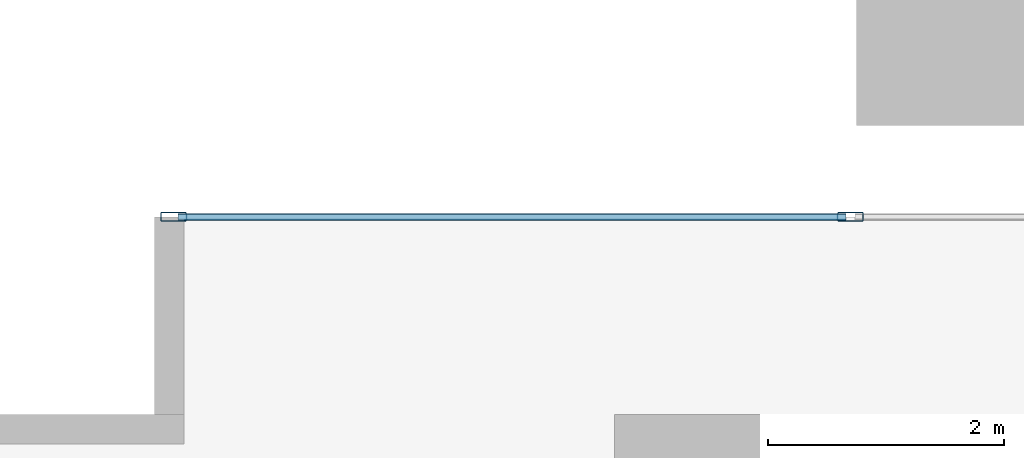
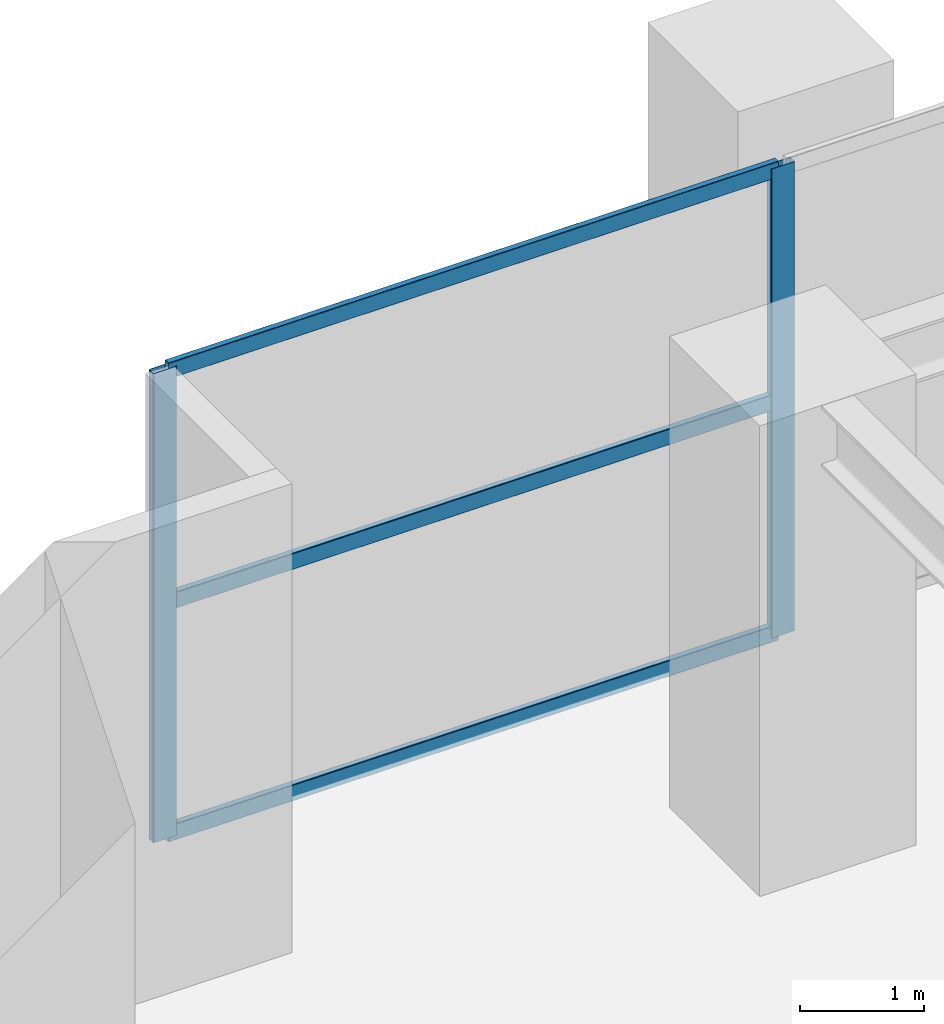
# One storey, part 6 of 20: 5 members, 1 element without a shape of its own.
"""IFC4 building model written with IfcOpenShell, lengths in metres."""

from ifc_helpers import new_model, si_unit, direction, frame, origin, origin_2d, place, context, subcontext, project, spatial, hollow_rectangle, extrude, source, transform, mapped, material, layer, layer_set, material_profile, profile_set, type_object, element, aggregate, save


model = new_model("IFC4")

# Units and contexts
model_context = context("Model", 3, precision=1e-05, world=origin(), true_north=direction((0.0, 1.0)))
body_context = subcontext(model_context, "Body", "Model", "MODEL_VIEW")
ifc_project = project(units=[si_unit("LENGTHUNIT", "METRE"), si_unit("AREAUNIT", "SQUARE_METRE"), si_unit("VOLUMEUNIT", "CUBIC_METRE"), si_unit("PLANEANGLEUNIT", "RADIAN"), si_unit("MASSUNIT", "GRAM", prefix="KILO")], contexts=[model_context])

# Site, building, storey
site_placement = place(None, origin())
site = spatial("IfcSite", under=ifc_project, at=site_placement, CompositionType="ELEMENT")
building_placement = place(site_placement, origin())
building = spatial("IfcBuilding", under=site, at=building_placement, Name="Serunith Strait Residences", CompositionType="ELEMENT")
storey_placement = place(building_placement, frame((0.0, 0.0, 5.5)))
storey = spatial("IfcBuildingStorey", under=building, at=storey_placement, Name="L01", CompositionType="ELEMENT", Elevation=5.5)

# Curtain wall, members
ifc_material = material(Name="Pale-Champagne Anodised Aluminium", Category="aluminium")
ifc_layer = layer(ifc_material, 0.199951171875, Name="Pale-Champagne Anodised Aluminium")
ifc_layer_set = layer_set([ifc_layer], Name="Pale-Champagne Anodised Aluminium")
curtain_wall_type = type_object("IfcCurtainWallType", Name="CW-SYS6", PredefinedType="NOTDEFINED", material=ifc_layer_set)
curtain_wall_placement = place(storey_placement, origin())
curtain_wall = element("IfcCurtainWall", 1, at=curtain_wall_placement, inside=storey, type_object=curtain_wall_type, Name="L01 Podium Galleria Curtain Wall 9B", PredefinedType="NOTDEFINED")
ifc_material_profile_1 = material_profile(ifc_material, hollow_rectangle(XDim=0.074951171875, YDim=0.219970703125, WallThickness=0.00390625, InnerFilletRadius=0.006103515625, OuterFilletRadius=0.010009765625, at=origin_2d()), Name="ALU 220x75x4")
ifc_profile_set_1 = profile_set([ifc_material_profile_1], Name="Pale-Champagne Anodised Aluminium")
member_type_1 = type_object("IfcMemberType", Name="CW-SYS6-MULL", PredefinedType="MULLION", material=ifc_profile_set_1)
shared_shape_1 = source(origin(), body_context, "Body", "SweptSolid", [
    extrude(hollow_rectangle(XDim=0.074951171875, YDim=0.219970703125, WallThickness=0.00390625, InnerFilletRadius=0.006103515625, OuterFilletRadius=0.010009765625, at=origin_2d()), origin(), (0.0, 0.0, 1.0), 4.60498046875),
])
member_1_placement = place(storey_placement, frame((13.875, 48.0, 0.0), z_axis=(0.0, 0.0, 1.0), x_axis=(0.0, -1.0, 0.0)))
member_1 = element("IfcMember", 2, at=member_1_placement, type_object=member_type_1, Name="CW-6 mullion 4", PredefinedType="MULLION", context=body_context, shape_type="MappedRepresentation", body=[
    mapped(shared_shape_1, transform((0.0, 0.0, 0.0), scale=1.0)),
])
member_2_placement = place(storey_placement, frame((8.137451171875, 48.0, 0.0), z_axis=(0.0, 0.0, 1.0), x_axis=(0.0, -1.0, 0.0)))
member_2 = element("IfcMember", 3, at=member_2_placement, type_object=member_type_1, Name="CW-6 mullion 5", PredefinedType="MULLION", context=body_context, shape_type="MappedRepresentation", body=[
    mapped(shared_shape_1, transform((0.0, 0.0, 0.0), scale=1.0)),
])
ifc_material_profile_2 = material_profile(ifc_material, hollow_rectangle(XDim=0.06005859375, YDim=0.159912109375, WallThickness=0.00341796875, InnerFilletRadius=0.00537109375, OuterFilletRadius=0.0087890625, at=origin_2d()), Name="ALU 160x60x3.5")
ifc_profile_set_2 = profile_set([ifc_material_profile_2], Name="Pale-Champagne Anodised Aluminium")
member_type_2 = type_object("IfcMemberType", Name="CW-SYS6-TRAN", PredefinedType="USERDEFINED", material=ifc_profile_set_2)
shared_shape_2 = source(origin(), body_context, "Body", "SweptSolid", [
    extrude(hollow_rectangle(XDim=0.06005859375, YDim=0.159912109375, WallThickness=0.00341796875, InnerFilletRadius=0.00537109375, OuterFilletRadius=0.0087890625, at=origin_2d()), origin(), (0.0, 0.0, 1.0), 5.662353515625),
])
member_3_placement = place(storey_placement, frame((13.83740234375, 48.0, 0.030029296875), z_axis=(-1.0, 0.0, 0.0), x_axis=(0.0, -1.0, 0.0)))
member_3 = element("IfcMember", 4, at=member_3_placement, type_object=member_type_2, Name="CW-6 transom 4.1", ObjectType="TRANSOM", PredefinedType="USERDEFINED", context=body_context, shape_type="MappedRepresentation", body=[
    mapped(shared_shape_2, transform((0.0, 0.0, 0.0), scale=1.0)),
])
member_4_placement = place(storey_placement, frame((13.83740234375, 48.0, 2.302490234375), z_axis=(-1.0, 0.0, 0.0), x_axis=(0.0, -1.0, 0.0)))
member_4 = element("IfcMember", 5, at=member_4_placement, type_object=member_type_2, Name="CW-6 transom 4.2", ObjectType="TRANSOM", PredefinedType="USERDEFINED", context=body_context, shape_type="MappedRepresentation", body=[
    mapped(shared_shape_2, transform((0.0, 0.0, 0.0), scale=1.0)),
])
member_5_placement = place(storey_placement, frame((13.83740234375, 48.0, 4.574951171875), z_axis=(-1.0, 0.0, 0.0), x_axis=(0.0, -1.0, 0.0)))
member_5 = element("IfcMember", 6, at=member_5_placement, type_object=member_type_2, Name="CW-6 transom 4.3", ObjectType="TRANSOM", PredefinedType="USERDEFINED", context=body_context, shape_type="MappedRepresentation", body=[
    mapped(shared_shape_2, transform((0.0, 0.0, 0.0), scale=1.0)),
])
aggregate(curtain_wall, [member_1, member_2, member_3, member_4, member_5])

save(model, "model.ifc")
